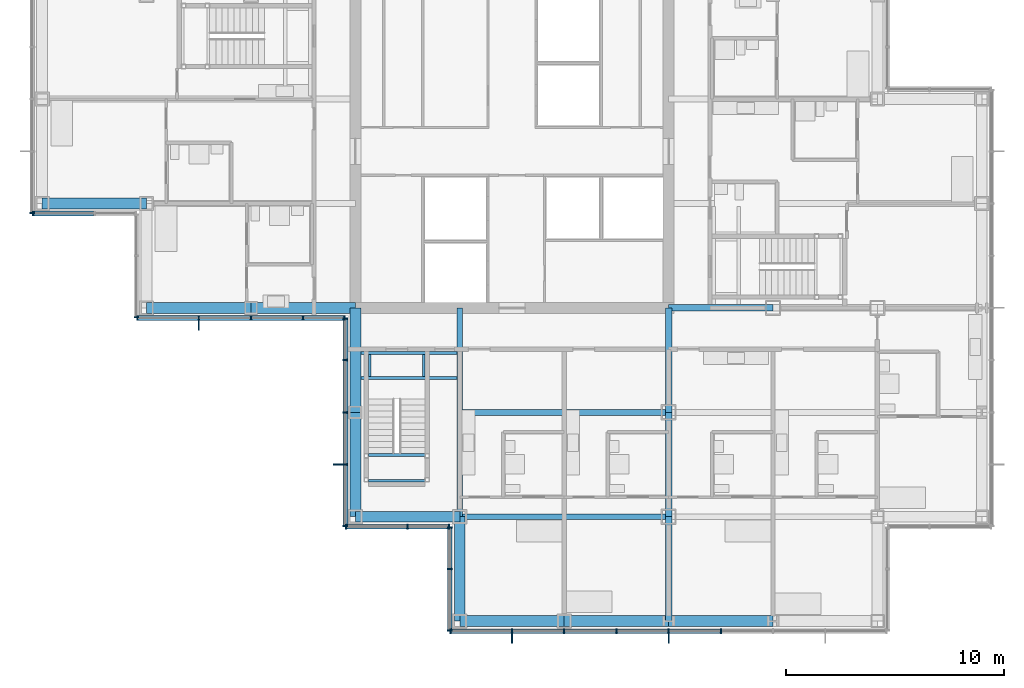
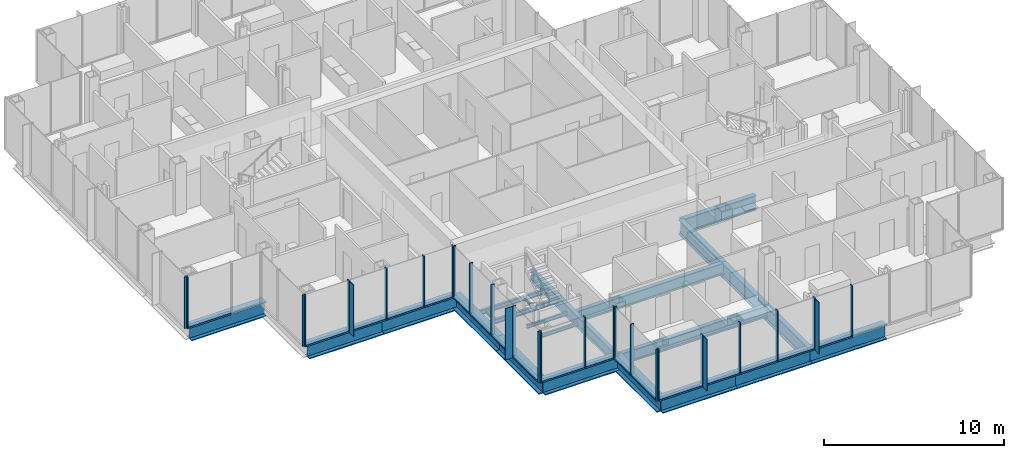
# One storey, part 6 of 20: 47 members, 23 beams, 8 elements without a shape of their own.
"""IFC4 building model written with IfcOpenShell, lengths in metres."""

from ifc_helpers import new_model, si_unit, direction, frame, origin, origin_2d, place, context, subcontext, project, spatial, rectangle, i_section, extrude, material, material_profile, profile_set, type_object, element, aggregate, save


model = new_model("IFC4")

# Units and contexts
model_context = context("Model", 3, precision=1e-05, world=origin(), true_north=direction((0.0, 1.0)))
body_context = subcontext(model_context, "Body", "Model", "MODEL_VIEW")
ifc_project = project(units=[si_unit("LENGTHUNIT", "METRE"), si_unit("AREAUNIT", "SQUARE_METRE"), si_unit("VOLUMEUNIT", "CUBIC_METRE"), si_unit("PLANEANGLEUNIT", "RADIAN"), si_unit("MASSUNIT", "GRAM", prefix="KILO")], contexts=[model_context])

# Site, building, storey
site_placement = place(None, origin())
site = spatial("IfcSite", under=ifc_project, at=site_placement, CompositionType="ELEMENT")
building_placement = place(site_placement, origin())
building = spatial("IfcBuilding", under=site, at=building_placement, Name="Kvirike Care Tower", CompositionType="ELEMENT")
storey_placement = place(building_placement, frame((0.0, 0.0, 91.0)))
storey = spatial("IfcBuildingStorey", under=building, at=storey_placement, Name="L24", CompositionType="ELEMENT", Elevation=91.0)

# Curtain wall, member
ifc_material_1 = material(Name="Anodised aluminium stick system", Category="aluminium")
curtain_wall_type = type_object("IfcCurtainWallType", Name="CW-B STICK CURTAIN WALL", PredefinedType="NOTDEFINED", material=ifc_material_1)
curtain_wall_1_placement = place(storey_placement, origin())
curtain_wall_1 = element("IfcCurtainWall", 1, at=curtain_wall_1_placement, inside=storey, type_object=curtain_wall_type, Name="Curtain wall L24 face 14", PredefinedType="NOTDEFINED")
ifc_material_2 = material(Name="Bronze anodised aluminium fin", Category="aluminium")
ifc_material_profile_1 = material_profile(ifc_material_2, rectangle(XDim=0.050048828125, YDim=0.449951171875, at=origin_2d()), Name="BRONZE FIN 450")
ifc_profile_set_1 = profile_set([ifc_material_profile_1], Name="Bronze anodised aluminium fin")
member_type_1 = type_object("IfcMemberType", Name="BRONZE FIN 450", PredefinedType="USERDEFINED", material=ifc_profile_set_1)
member_1_placement = place(storey_placement, frame((7.199951171875, 28.0048828125, 0.0), z_axis=(0.0, 0.0, 1.0), x_axis=(1.0, 0.0, 0.0)))
member_1 = element("IfcMember", 2, at=member_1_placement, type_object=member_type_1, Name="Bronze fin L24 face 14.2", ObjectType="FIN", PredefinedType="USERDEFINED", context=body_context, shape_type="SweptSolid", body=[
    extrude(rectangle(XDim=0.050048828125, YDim=0.449951171875, at=origin_2d()), origin(), (0.0, 0.0, 1.0), 3.5),
])

curtain_wall_2_placement = place(storey_placement, origin())
curtain_wall_2 = element("IfcCurtainWall", 3, at=curtain_wall_2_placement, inside=storey, type_object=curtain_wall_type, Name="Curtain wall L24 face 15", PredefinedType="NOTDEFINED")
member_2_placement = place(storey_placement, frame((13.60498046875, 21.60009765625, 0.0), z_axis=(0.0, 0.0, 1.0), x_axis=(0.0, -1.0, 0.0)))
member_2 = element("IfcMember", 4, at=member_2_placement, type_object=member_type_1, Name="Bronze fin L24 face 15.4", ObjectType="FIN", PredefinedType="USERDEFINED", context=body_context, shape_type="SweptSolid", body=[
    extrude(rectangle(XDim=0.050048828125, YDim=0.449951171875, at=origin_2d()), origin(), (0.0, 0.0, 1.0), 3.5),
])

# Curtain wall, members
curtain_wall_3_placement = place(storey_placement, origin())
curtain_wall_3 = element("IfcCurtainWall", 5, at=curtain_wall_3_placement, inside=storey, type_object=curtain_wall_type, Name="Curtain wall L24 face 18", PredefinedType="NOTDEFINED")
member_3_placement = place(storey_placement, frame((21.60009765625, 13.60498046875, 0.0), z_axis=(0.0, 0.0, 1.0), x_axis=(1.0, 0.0, 0.0)))
member_3 = element("IfcMember", 6, at=member_3_placement, type_object=member_type_1, Name="Bronze fin L24 face 18.2", ObjectType="FIN", PredefinedType="USERDEFINED", context=body_context, shape_type="SweptSolid", body=[
    extrude(rectangle(XDim=0.050048828125, YDim=0.449951171875, at=origin_2d()), origin(), (0.0, 0.0, 1.0), 3.5),
])
member_4_placement = place(storey_placement, frame((28.800048828125, 13.60498046875, 0.0), z_axis=(0.0, 0.0, 1.0), x_axis=(1.0, 0.0, 0.0)))
member_4 = element("IfcMember", 7, at=member_4_placement, type_object=member_type_1, Name="Bronze fin L24 face 18.5", ObjectType="FIN", PredefinedType="USERDEFINED", context=body_context, shape_type="SweptSolid", body=[
    extrude(rectangle(XDim=0.050048828125, YDim=0.449951171875, at=origin_2d()), origin(), (0.0, 0.0, 1.0), 3.5),
])

# Curtain wall, member
curtain_wall_4_placement = place(storey_placement, origin())
curtain_wall_4 = element("IfcCurtainWall", 8, at=curtain_wall_4_placement, inside=storey, type_object=curtain_wall_type, Name="Curtain wall L24 face 11", PredefinedType="NOTDEFINED")
ifc_material_3 = material(Name="Bronze anodised aluminium mullion", Category="aluminium")
ifc_material_profile_2 = material_profile(ifc_material_3, rectangle(XDim=0.06494140625, YDim=0.219970703125, at=origin_2d()), Name="CW-B MULLION 65x220")
ifc_profile_set_2 = profile_set([ifc_material_profile_2], Name="Bronze anodised aluminium mullion")
member_type_2 = type_object("IfcMemberType", Name="CW-B MULLION 65x220", PredefinedType="MULLION", material=ifc_profile_set_2)
member_5_placement = place(storey_placement, frame((-0.4599609375, 33.172607421875, 0.0), z_axis=(0.0, 0.0, 1.0), x_axis=(0.0, -1.0, 0.0)))
member_5 = element("IfcMember", 9, at=member_5_placement, type_object=member_type_2, Name="CW-B mullion L24 face 11.9", PredefinedType="MULLION", context=body_context, shape_type="SweptSolid", body=[
    extrude(rectangle(XDim=0.06494140625, YDim=0.219970703125, at=origin_2d()), origin(), (0.0, 0.0, 1.0), 3.5),
])
aggregate(curtain_wall_4, [member_5])

curtain_wall_5_placement = place(storey_placement, origin())
curtain_wall_5 = element("IfcCurtainWall", 10, at=curtain_wall_5_placement, inside=storey, type_object=curtain_wall_type, Name="Curtain wall L24 face 12", PredefinedType="NOTDEFINED")
member_6_placement = place(storey_placement, frame((-0.427490234375, 33.139892578125, 0.0), z_axis=(0.0, 0.0, 1.0), x_axis=(1.0, 0.0, 0.0)))
member_6 = element("IfcMember", 11, at=member_6_placement, type_object=member_type_2, Name="CW-B mullion L24 face 12.1", PredefinedType="MULLION", context=body_context, shape_type="SweptSolid", body=[
    extrude(rectangle(XDim=0.06494140625, YDim=0.219970703125, at=origin_2d()), origin(), (0.0, 0.0, 1.0), 3.5),
])

curtain_wall_6_placement = place(storey_placement, origin())
curtain_wall_6 = element("IfcCurtainWall", 12, at=curtain_wall_6_placement, inside=storey, type_object=curtain_wall_type, Name="Curtain wall L24 face 13", PredefinedType="NOTDEFINED")
member_7_placement = place(storey_placement, frame((4.340087890625, 28.37255859375, 0.0), z_axis=(0.0, 0.0, 1.0), x_axis=(0.0, -1.0, 0.0)))
member_7 = element("IfcMember", 13, at=member_7_placement, type_object=member_type_2, Name="CW-B mullion L24 face 13.3", PredefinedType="MULLION", context=body_context, shape_type="SweptSolid", body=[
    extrude(rectangle(XDim=0.06494140625, YDim=0.219970703125, at=origin_2d()), origin(), (0.0, 0.0, 1.0), 3.5),
])
aggregate(curtain_wall_6, [member_7])

# Member
member_8_placement = place(storey_placement, frame((4.37255859375, 28.340087890625, 0.0), z_axis=(0.0, 0.0, 1.0), x_axis=(1.0, 0.0, 0.0)))
member_8 = element("IfcMember", 14, at=member_8_placement, type_object=member_type_2, Name="CW-B mullion L24 face 14.1", PredefinedType="MULLION", context=body_context, shape_type="SweptSolid", body=[
    extrude(rectangle(XDim=0.06494140625, YDim=0.219970703125, at=origin_2d()), origin(), (0.0, 0.0, 1.0), 3.5),
])

member_9_placement = place(storey_placement, frame((7.199951171875, 28.340087890625, 0.0), z_axis=(0.0, 0.0, 1.0), x_axis=(1.0, 0.0, 0.0)))
member_9 = element("IfcMember", 15, at=member_9_placement, type_object=member_type_2, Name="CW-B mullion L24 face 14.2", PredefinedType="MULLION", context=body_context, shape_type="SweptSolid", body=[
    extrude(rectangle(XDim=0.06494140625, YDim=0.219970703125, at=origin_2d()), origin(), (0.0, 0.0, 1.0), 3.5),
])

member_10_placement = place(storey_placement, frame((9.60009765625, 28.340087890625, 0.0), z_axis=(0.0, 0.0, 1.0), x_axis=(1.0, 0.0, 0.0)))
member_10 = element("IfcMember", 16, at=member_10_placement, type_object=member_type_2, Name="CW-B mullion L24 face 14.3", PredefinedType="MULLION", context=body_context, shape_type="SweptSolid", body=[
    extrude(rectangle(XDim=0.06494140625, YDim=0.219970703125, at=origin_2d()), origin(), (0.0, 0.0, 1.0), 3.5),
])

member_11_placement = place(storey_placement, frame((12.0, 28.340087890625, 0.0), z_axis=(0.0, 0.0, 1.0), x_axis=(1.0, 0.0, 0.0)))
member_11 = element("IfcMember", 17, at=member_11_placement, type_object=member_type_2, Name="CW-B mullion L24 face 14.4", PredefinedType="MULLION", context=body_context, shape_type="SweptSolid", body=[
    extrude(rectangle(XDim=0.06494140625, YDim=0.219970703125, at=origin_2d()), origin(), (0.0, 0.0, 1.0), 3.5),
])

member_12_placement = place(storey_placement, frame((13.907470703125, 28.340087890625, 0.0), z_axis=(0.0, 0.0, 1.0), x_axis=(1.0, 0.0, 0.0)))
member_12 = element("IfcMember", 18, at=member_12_placement, type_object=member_type_2, Name="CW-B mullion L24 face 14.5", PredefinedType="MULLION", context=body_context, shape_type="SweptSolid", body=[
    extrude(rectangle(XDim=0.06494140625, YDim=0.219970703125, at=origin_2d()), origin(), (0.0, 0.0, 1.0), 3.5),
])

member_13_placement = place(storey_placement, frame((13.93994140625, 28.3076171875, 0.0), z_axis=(0.0, 0.0, 1.0), x_axis=(0.0, -1.0, 0.0)))
member_13 = element("IfcMember", 19, at=member_13_placement, type_object=member_type_2, Name="CW-B mullion L24 face 15.1", PredefinedType="MULLION", context=body_context, shape_type="SweptSolid", body=[
    extrude(rectangle(XDim=0.06494140625, YDim=0.219970703125, at=origin_2d()), origin(), (0.0, 0.0, 1.0), 3.5),
])

member_14_placement = place(storey_placement, frame((13.93994140625, 26.39990234375, 0.0), z_axis=(0.0, 0.0, 1.0), x_axis=(0.0, -1.0, 0.0)))
member_14 = element("IfcMember", 20, at=member_14_placement, type_object=member_type_2, Name="CW-B mullion L24 face 15.2", PredefinedType="MULLION", context=body_context, shape_type="SweptSolid", body=[
    extrude(rectangle(XDim=0.06494140625, YDim=0.219970703125, at=origin_2d()), origin(), (0.0, 0.0, 1.0), 3.5),
])

member_15_placement = place(storey_placement, frame((13.93994140625, 24.0, 0.0), z_axis=(0.0, 0.0, 1.0), x_axis=(0.0, -1.0, 0.0)))
member_15 = element("IfcMember", 21, at=member_15_placement, type_object=member_type_2, Name="CW-B mullion L24 face 15.3", PredefinedType="MULLION", context=body_context, shape_type="SweptSolid", body=[
    extrude(rectangle(XDim=0.06494140625, YDim=0.219970703125, at=origin_2d()), origin(), (0.0, 0.0, 1.0), 3.5),
])

member_16_placement = place(storey_placement, frame((13.93994140625, 21.60009765625, 0.0), z_axis=(0.0, 0.0, 1.0), x_axis=(0.0, -1.0, 0.0)))
member_16 = element("IfcMember", 22, at=member_16_placement, type_object=member_type_2, Name="CW-B mullion L24 face 15.4", PredefinedType="MULLION", context=body_context, shape_type="SweptSolid", body=[
    extrude(rectangle(XDim=0.06494140625, YDim=0.219970703125, at=origin_2d()), origin(), (0.0, 0.0, 1.0), 3.5),
])

member_17_placement = place(storey_placement, frame((13.93994140625, 18.7724609375, 0.0), z_axis=(0.0, 0.0, 1.0), x_axis=(0.0, -1.0, 0.0)))
member_17 = element("IfcMember", 23, at=member_17_placement, type_object=member_type_2, Name="CW-B mullion L24 face 15.5", PredefinedType="MULLION", context=body_context, shape_type="SweptSolid", body=[
    extrude(rectangle(XDim=0.06494140625, YDim=0.219970703125, at=origin_2d()), origin(), (0.0, 0.0, 1.0), 3.5),
])

# Curtain wall, members
curtain_wall_7_placement = place(storey_placement, origin())
curtain_wall_7 = element("IfcCurtainWall", 24, at=curtain_wall_7_placement, inside=storey, type_object=curtain_wall_type, Name="Curtain wall L24 face 16", PredefinedType="NOTDEFINED")
member_18_placement = place(storey_placement, frame((13.972412109375, 18.739990234375, 0.0), z_axis=(0.0, 0.0, 1.0), x_axis=(1.0, 0.0, 0.0)))
member_18 = element("IfcMember", 25, at=member_18_placement, type_object=member_type_2, Name="CW-B mullion L24 face 16.1", PredefinedType="MULLION", context=body_context, shape_type="SweptSolid", body=[
    extrude(rectangle(XDim=0.06494140625, YDim=0.219970703125, at=origin_2d()), origin(), (0.0, 0.0, 1.0), 3.5),
])
member_19_placement = place(storey_placement, frame((16.800048828125, 18.739990234375, 0.0), z_axis=(0.0, 0.0, 1.0), x_axis=(1.0, 0.0, 0.0)))
member_19 = element("IfcMember", 26, at=member_19_placement, type_object=member_type_2, Name="CW-B mullion L24 face 16.2", PredefinedType="MULLION", context=body_context, shape_type="SweptSolid", body=[
    extrude(rectangle(XDim=0.06494140625, YDim=0.219970703125, at=origin_2d()), origin(), (0.0, 0.0, 1.0), 3.5),
])
member_20_placement = place(storey_placement, frame((18.70751953125, 18.739990234375, 0.0), z_axis=(0.0, 0.0, 1.0), x_axis=(1.0, 0.0, 0.0)))
member_20 = element("IfcMember", 27, at=member_20_placement, type_object=member_type_2, Name="CW-B mullion L24 face 16.3", PredefinedType="MULLION", context=body_context, shape_type="SweptSolid", body=[
    extrude(rectangle(XDim=0.06494140625, YDim=0.219970703125, at=origin_2d()), origin(), (0.0, 0.0, 1.0), 3.5),
])

curtain_wall_8_placement = place(storey_placement, origin())
curtain_wall_8 = element("IfcCurtainWall", 28, at=curtain_wall_8_placement, inside=storey, type_object=curtain_wall_type, Name="Curtain wall L24 face 17", PredefinedType="NOTDEFINED")
member_21_placement = place(storey_placement, frame((18.739990234375, 18.70751953125, 0.0), z_axis=(0.0, 0.0, 1.0), x_axis=(0.0, -1.0, 0.0)))
member_21 = element("IfcMember", 29, at=member_21_placement, type_object=member_type_2, Name="CW-B mullion L24 face 17.1", PredefinedType="MULLION", context=body_context, shape_type="SweptSolid", body=[
    extrude(rectangle(XDim=0.06494140625, YDim=0.219970703125, at=origin_2d()), origin(), (0.0, 0.0, 1.0), 3.5),
])
member_22_placement = place(storey_placement, frame((18.739990234375, 16.800048828125, 0.0), z_axis=(0.0, 0.0, 1.0), x_axis=(0.0, -1.0, 0.0)))
member_22 = element("IfcMember", 30, at=member_22_placement, type_object=member_type_2, Name="CW-B mullion L24 face 17.2", PredefinedType="MULLION", context=body_context, shape_type="SweptSolid", body=[
    extrude(rectangle(XDim=0.06494140625, YDim=0.219970703125, at=origin_2d()), origin(), (0.0, 0.0, 1.0), 3.5),
])
member_23_placement = place(storey_placement, frame((18.739990234375, 13.972412109375, 0.0), z_axis=(0.0, 0.0, 1.0), x_axis=(0.0, -1.0, 0.0)))
member_23 = element("IfcMember", 31, at=member_23_placement, type_object=member_type_2, Name="CW-B mullion L24 face 17.3", PredefinedType="MULLION", context=body_context, shape_type="SweptSolid", body=[
    extrude(rectangle(XDim=0.06494140625, YDim=0.219970703125, at=origin_2d()), origin(), (0.0, 0.0, 1.0), 3.5),
])

# Member
member_24_placement = place(storey_placement, frame((18.7724609375, 13.93994140625, 0.0), z_axis=(0.0, 0.0, 1.0), x_axis=(1.0, 0.0, 0.0)))
member_24 = element("IfcMember", 32, at=member_24_placement, type_object=member_type_2, Name="CW-B mullion L24 face 18.1", PredefinedType="MULLION", context=body_context, shape_type="SweptSolid", body=[
    extrude(rectangle(XDim=0.06494140625, YDim=0.219970703125, at=origin_2d()), origin(), (0.0, 0.0, 1.0), 3.5),
])

member_25_placement = place(storey_placement, frame((21.60009765625, 13.93994140625, 0.0), z_axis=(0.0, 0.0, 1.0), x_axis=(1.0, 0.0, 0.0)))
member_25 = element("IfcMember", 33, at=member_25_placement, type_object=member_type_2, Name="CW-B mullion L24 face 18.2", PredefinedType="MULLION", context=body_context, shape_type="SweptSolid", body=[
    extrude(rectangle(XDim=0.06494140625, YDim=0.219970703125, at=origin_2d()), origin(), (0.0, 0.0, 1.0), 3.5),
])

member_26_placement = place(storey_placement, frame((24.0, 13.93994140625, 0.0), z_axis=(0.0, 0.0, 1.0), x_axis=(1.0, 0.0, 0.0)))
member_26 = element("IfcMember", 34, at=member_26_placement, type_object=member_type_2, Name="CW-B mullion L24 face 18.3", PredefinedType="MULLION", context=body_context, shape_type="SweptSolid", body=[
    extrude(rectangle(XDim=0.06494140625, YDim=0.219970703125, at=origin_2d()), origin(), (0.0, 0.0, 1.0), 3.5),
])

member_27_placement = place(storey_placement, frame((26.39990234375, 13.93994140625, 0.0), z_axis=(0.0, 0.0, 1.0), x_axis=(1.0, 0.0, 0.0)))
member_27 = element("IfcMember", 35, at=member_27_placement, type_object=member_type_2, Name="CW-B mullion L24 face 18.4", PredefinedType="MULLION", context=body_context, shape_type="SweptSolid", body=[
    extrude(rectangle(XDim=0.06494140625, YDim=0.219970703125, at=origin_2d()), origin(), (0.0, 0.0, 1.0), 3.5),
])

member_28_placement = place(storey_placement, frame((28.800048828125, 13.93994140625, 0.0), z_axis=(0.0, 0.0, 1.0), x_axis=(1.0, 0.0, 0.0)))
member_28 = element("IfcMember", 36, at=member_28_placement, type_object=member_type_2, Name="CW-B mullion L24 face 18.5", PredefinedType="MULLION", context=body_context, shape_type="SweptSolid", body=[
    extrude(rectangle(XDim=0.06494140625, YDim=0.219970703125, at=origin_2d()), origin(), (0.0, 0.0, 1.0), 3.5),
])

member_29_placement = place(storey_placement, frame((31.199951171875, 13.93994140625, 0.0), z_axis=(0.0, 0.0, 1.0), x_axis=(1.0, 0.0, 0.0)))
member_29 = element("IfcMember", 37, at=member_29_placement, type_object=member_type_2, Name="CW-B mullion L24 face 18.6", PredefinedType="MULLION", context=body_context, shape_type="SweptSolid", body=[
    extrude(rectangle(XDim=0.06494140625, YDim=0.219970703125, at=origin_2d()), origin(), (0.0, 0.0, 1.0), 3.5),
])

ifc_material_4 = material(Name="Bronze anodised aluminium transom", Category="aluminium")
ifc_material_profile_3 = material_profile(ifc_material_4, rectangle(XDim=0.219970703125, YDim=0.10009765625, at=origin_2d()), Name="CW-B TRANSOM 220x100")
ifc_profile_set_3 = profile_set([ifc_material_profile_3], Name="Bronze anodised aluminium transom")
member_type_3 = type_object("IfcMemberType", Name="CW-B TRANSOM 220x100", PredefinedType="USERDEFINED", material=ifc_profile_set_3)
member_30_placement = place(storey_placement, frame((-0.39501953125, 33.139892578125, 0.050048828125), z_axis=(1.0, 0.0, 0.0), x_axis=(0.0, 1.0, 0.0)))
member_30 = element("IfcMember", 38, at=member_30_placement, type_object=member_type_3, Name="CW-B sill transom L24 face 12.1", ObjectType="TRANSOM", PredefinedType="USERDEFINED", context=body_context, shape_type="SweptSolid", body=[
    extrude(rectangle(XDim=0.219970703125, YDim=0.10009765625, at=origin_2d()), origin(), (0.0, 0.0, 1.0), 2.762451171875),
])

aggregate(curtain_wall_5, [member_6, member_30])

member_31_placement = place(storey_placement, frame((4.405029296875, 28.340087890625, 0.050048828125), z_axis=(1.0, 0.0, 0.0), x_axis=(0.0, 1.0, 0.0)))
member_31 = element("IfcMember", 39, at=member_31_placement, type_object=member_type_3, Name="CW-B sill transom L24 face 14.1", ObjectType="TRANSOM", PredefinedType="USERDEFINED", context=body_context, shape_type="SweptSolid", body=[
    extrude(rectangle(XDim=0.219970703125, YDim=0.10009765625, at=origin_2d()), origin(), (0.0, 0.0, 1.0), 2.762451171875),
])

member_32_placement = place(storey_placement, frame((7.232421875, 28.340087890625, 0.050048828125), z_axis=(1.0, 0.0, 0.0), x_axis=(0.0, 1.0, 0.0)))
member_32 = element("IfcMember", 40, at=member_32_placement, type_object=member_type_3, Name="CW-B sill transom L24 face 14.2", ObjectType="TRANSOM", PredefinedType="USERDEFINED", context=body_context, shape_type="SweptSolid", body=[
    extrude(rectangle(XDim=0.219970703125, YDim=0.10009765625, at=origin_2d()), origin(), (0.0, 0.0, 1.0), 2.3349609375),
])

member_33_placement = place(storey_placement, frame((9.632568359375, 28.340087890625, 0.050048828125), z_axis=(1.0, 0.0, 0.0), x_axis=(0.0, 1.0, 0.0)))
member_33 = element("IfcMember", 41, at=member_33_placement, type_object=member_type_3, Name="CW-B sill transom L24 face 14.3", ObjectType="TRANSOM", PredefinedType="USERDEFINED", context=body_context, shape_type="SweptSolid", body=[
    extrude(rectangle(XDim=0.219970703125, YDim=0.10009765625, at=origin_2d()), origin(), (0.0, 0.0, 1.0), 2.3349609375),
])

member_34_placement = place(storey_placement, frame((12.032470703125, 28.340087890625, 0.050048828125), z_axis=(1.0, 0.0, 0.0), x_axis=(0.0, 1.0, 0.0)))
member_34 = element("IfcMember", 42, at=member_34_placement, type_object=member_type_3, Name="CW-B sill transom L24 face 14.4", ObjectType="TRANSOM", PredefinedType="USERDEFINED", context=body_context, shape_type="SweptSolid", body=[
    extrude(rectangle(XDim=0.219970703125, YDim=0.10009765625, at=origin_2d()), origin(), (0.0, 0.0, 1.0), 1.842529296875),
])

aggregate(curtain_wall_1, [member_8, member_9, member_1, member_10, member_11, member_12, member_31, member_32, member_33, member_34])

member_35_placement = place(storey_placement, frame((13.93994140625, 28.27490234375, 0.050048828125), z_axis=(0.0, -1.0, 0.0), x_axis=(1.0, 0.0, 0.0)))
member_35 = element("IfcMember", 43, at=member_35_placement, type_object=member_type_3, Name="CW-B sill transom L24 face 15.1", ObjectType="TRANSOM", PredefinedType="USERDEFINED", context=body_context, shape_type="SweptSolid", body=[
    extrude(rectangle(XDim=0.219970703125, YDim=0.10009765625, at=origin_2d()), origin(), (0.0, 0.0, 1.0), 1.84228515625),
])

member_36_placement = place(storey_placement, frame((13.93994140625, 26.367431640625, 0.050048828125), z_axis=(0.0, -1.0, 0.0), x_axis=(1.0, 0.0, 0.0)))
member_36 = element("IfcMember", 44, at=member_36_placement, type_object=member_type_3, Name="CW-B sill transom L24 face 15.2", ObjectType="TRANSOM", PredefinedType="USERDEFINED", context=body_context, shape_type="SweptSolid", body=[
    extrude(rectangle(XDim=0.219970703125, YDim=0.10009765625, at=origin_2d()), origin(), (0.0, 0.0, 1.0), 2.3349609375),
])

member_37_placement = place(storey_placement, frame((13.93994140625, 23.967529296875, 0.050048828125), z_axis=(0.0, -1.0, 0.0), x_axis=(1.0, 0.0, 0.0)))
member_37 = element("IfcMember", 45, at=member_37_placement, type_object=member_type_3, Name="CW-B sill transom L24 face 15.3", ObjectType="TRANSOM", PredefinedType="USERDEFINED", context=body_context, shape_type="SweptSolid", body=[
    extrude(rectangle(XDim=0.219970703125, YDim=0.10009765625, at=origin_2d()), origin(), (0.0, 0.0, 1.0), 2.3349609375),
])

member_38_placement = place(storey_placement, frame((13.93994140625, 21.5673828125, 0.050048828125), z_axis=(0.0, -1.0, 0.0), x_axis=(1.0, 0.0, 0.0)))
member_38 = element("IfcMember", 46, at=member_38_placement, type_object=member_type_3, Name="CW-B sill transom L24 face 15.4", ObjectType="TRANSOM", PredefinedType="USERDEFINED", context=body_context, shape_type="SweptSolid", body=[
    extrude(rectangle(XDim=0.219970703125, YDim=0.10009765625, at=origin_2d()), origin(), (0.0, 0.0, 1.0), 2.762451171875),
])

aggregate(curtain_wall_2, [member_13, member_14, member_15, member_16, member_2, member_17, member_35, member_36, member_37, member_38])

member_39_placement = place(storey_placement, frame((14.0048828125, 18.739990234375, 0.050048828125), z_axis=(1.0, 0.0, 0.0), x_axis=(0.0, 1.0, 0.0)))
member_39 = element("IfcMember", 47, at=member_39_placement, type_object=member_type_3, Name="CW-B sill transom L24 face 16.1", ObjectType="TRANSOM", PredefinedType="USERDEFINED", context=body_context, shape_type="SweptSolid", body=[
    extrude(rectangle(XDim=0.219970703125, YDim=0.10009765625, at=origin_2d()), origin(), (0.0, 0.0, 1.0), 2.7626953125),
])

member_40_placement = place(storey_placement, frame((16.83251953125, 18.739990234375, 0.050048828125), z_axis=(1.0, 0.0, 0.0), x_axis=(0.0, 1.0, 0.0)))
member_40 = element("IfcMember", 48, at=member_40_placement, type_object=member_type_3, Name="CW-B sill transom L24 face 16.2", ObjectType="TRANSOM", PredefinedType="USERDEFINED", context=body_context, shape_type="SweptSolid", body=[
    extrude(rectangle(XDim=0.219970703125, YDim=0.10009765625, at=origin_2d()), origin(), (0.0, 0.0, 1.0), 1.842529296875),
])

aggregate(curtain_wall_7, [member_18, member_19, member_20, member_39, member_40])

member_41_placement = place(storey_placement, frame((18.739990234375, 18.675048828125, 0.050048828125), z_axis=(0.0, -1.0, 0.0), x_axis=(1.0, 0.0, 0.0)))
member_41 = element("IfcMember", 49, at=member_41_placement, type_object=member_type_3, Name="CW-B sill transom L24 face 17.1", ObjectType="TRANSOM", PredefinedType="USERDEFINED", context=body_context, shape_type="SweptSolid", body=[
    extrude(rectangle(XDim=0.219970703125, YDim=0.10009765625, at=origin_2d()), origin(), (0.0, 0.0, 1.0), 1.842529296875),
])

member_42_placement = place(storey_placement, frame((18.739990234375, 16.767578125, 0.050048828125), z_axis=(0.0, -1.0, 0.0), x_axis=(1.0, 0.0, 0.0)))
member_42 = element("IfcMember", 50, at=member_42_placement, type_object=member_type_3, Name="CW-B sill transom L24 face 17.2", ObjectType="TRANSOM", PredefinedType="USERDEFINED", context=body_context, shape_type="SweptSolid", body=[
    extrude(rectangle(XDim=0.219970703125, YDim=0.10009765625, at=origin_2d()), origin(), (0.0, 0.0, 1.0), 2.7626953125),
])

aggregate(curtain_wall_8, [member_21, member_22, member_23, member_41, member_42])

member_43_placement = place(storey_placement, frame((18.804931640625, 13.93994140625, 0.050048828125), z_axis=(1.0, 0.0, 0.0), x_axis=(0.0, 1.0, 0.0)))
member_43 = element("IfcMember", 51, at=member_43_placement, type_object=member_type_3, Name="CW-B sill transom L24 face 18.1", ObjectType="TRANSOM", PredefinedType="USERDEFINED", context=body_context, shape_type="SweptSolid", body=[
    extrude(rectangle(XDim=0.219970703125, YDim=0.10009765625, at=origin_2d()), origin(), (0.0, 0.0, 1.0), 2.762451171875),
])

member_44_placement = place(storey_placement, frame((21.632568359375, 13.93994140625, 0.050048828125), z_axis=(1.0, 0.0, 0.0), x_axis=(0.0, 1.0, 0.0)))
member_44 = element("IfcMember", 52, at=member_44_placement, type_object=member_type_3, Name="CW-B sill transom L24 face 18.2", ObjectType="TRANSOM", PredefinedType="USERDEFINED", context=body_context, shape_type="SweptSolid", body=[
    extrude(rectangle(XDim=0.219970703125, YDim=0.10009765625, at=origin_2d()), origin(), (0.0, 0.0, 1.0), 2.3349609375),
])

member_45_placement = place(storey_placement, frame((24.032470703125, 13.93994140625, 0.050048828125), z_axis=(1.0, 0.0, 0.0), x_axis=(0.0, 1.0, 0.0)))
member_45 = element("IfcMember", 53, at=member_45_placement, type_object=member_type_3, Name="CW-B sill transom L24 face 18.3", ObjectType="TRANSOM", PredefinedType="USERDEFINED", context=body_context, shape_type="SweptSolid", body=[
    extrude(rectangle(XDim=0.219970703125, YDim=0.10009765625, at=origin_2d()), origin(), (0.0, 0.0, 1.0), 2.3349609375),
])

member_46_placement = place(storey_placement, frame((26.4326171875, 13.93994140625, 0.050048828125), z_axis=(1.0, 0.0, 0.0), x_axis=(0.0, 1.0, 0.0)))
member_46 = element("IfcMember", 54, at=member_46_placement, type_object=member_type_3, Name="CW-B sill transom L24 face 18.4", ObjectType="TRANSOM", PredefinedType="USERDEFINED", context=body_context, shape_type="SweptSolid", body=[
    extrude(rectangle(XDim=0.219970703125, YDim=0.10009765625, at=origin_2d()), origin(), (0.0, 0.0, 1.0), 2.3349609375),
])

member_47_placement = place(storey_placement, frame((28.83251953125, 13.93994140625, 0.050048828125), z_axis=(1.0, 0.0, 0.0), x_axis=(0.0, 1.0, 0.0)))
member_47 = element("IfcMember", 55, at=member_47_placement, type_object=member_type_3, Name="CW-B sill transom L24 face 18.5", ObjectType="TRANSOM", PredefinedType="USERDEFINED", context=body_context, shape_type="SweptSolid", body=[
    extrude(rectangle(XDim=0.219970703125, YDim=0.10009765625, at=origin_2d()), origin(), (0.0, 0.0, 1.0), 2.3349609375),
])

aggregate(curtain_wall_3, [member_24, member_25, member_3, member_26, member_27, member_28, member_4, member_29, member_43, member_44, member_45, member_46, member_47])

# Beams
ifc_material_5 = material(Name="Steel S355", Category="steel")
ifc_material_profile_4 = material_profile(ifc_material_5, i_section(OverallWidth=0.26806640625, OverallDepth=0.77001953125, WebThickness=0.015625, FlangeThickness=0.025390625, FilletRadius=0.01708984375, at=origin_2d()), Name="IPE 750x196")
ifc_profile_set_4 = profile_set([ifc_material_profile_4], Name="Steel S355")
beam_type_1 = type_object("IfcBeamType", Name="FLOOR BEAM IPE 750x196", PredefinedType="BEAM", material=ifc_profile_set_4)
for number, where, z_axis, x_axis, name in (
    (56, (19.199951171875, 19.199951171875, -0.554931640625), (1.0, 0.0, 0.0), (0.0, 1.0, 0.0), "Floor Beam E7-E9 L24"),
    (57, (19.199951171875, 24.0, -0.554931640625), (1.0, 0.0, 0.0), (0.0, 1.0, 0.0), "Floor Beam F7-F9 L24"),
    (58, (19.199951171875, 19.199951171875, -0.554931640625), (0.0, 1.0, 0.0), (-1.0, 0.0, 0.0), "Floor Beam E7-G7 L24"),
):
    element("IfcBeam", number, at=place(storey_placement, frame(where, z_axis=z_axis, x_axis=x_axis)), inside=storey, type_object=beam_type_1, Name=name, PredefinedType="BEAM", context=body_context, shape_type="SweptSolid", body=[
        extrude(i_section(OverallWidth=0.26806640625, OverallDepth=0.77001953125, WebThickness=0.015625, FlangeThickness=0.025390625, FilletRadius=0.01708984375, at=origin_2d()), origin(), (0.0, 0.0, 1.0), 9.60009765625),
    ])
ifc_material_6 = material(Name="Steel S355", Category="steel")
ifc_material_profile_5 = material_profile(ifc_material_6, i_section(OverallWidth=0.300048828125, OverallDepth=1.0, WebThickness=0.01904296875, FlangeThickness=0.035888671875, FilletRadius=0.030029296875, at=origin_2d()), Name="HE 1000 B")
ifc_profile_set_5 = profile_set([ifc_material_profile_5], Name="Steel S355")
beam_type_2 = type_object("IfcBeamType", Name="FRAME BEAM HE 1000 B", PredefinedType="BEAM", material=ifc_profile_set_5)
for number, where, z_axis, x_axis, name in (
    (59, (28.800048828125, 28.800048828125, -0.669921875), (1.0, 0.0, 0.0), (0.0, 1.0, 0.0), "Frame Beam G9-G10 L24"),
    (60, (28.800048828125, 14.39990234375, -0.669921875), (0.0, 1.0, 0.0), (-1.0, 0.0, 0.0), "Frame Beam D9-E9 L24"),
    (61, (28.800048828125, 19.199951171875, -0.669921875), (0.0, 1.0, 0.0), (-1.0, 0.0, 0.0), "Frame Beam E9-F9 L24"),
    (62, (28.800048828125, 24.0, -0.669921875), (0.0, 1.0, 0.0), (-1.0, 0.0, 0.0), "Frame Beam F9-G9 L24"),
):
    element("IfcBeam", number, at=place(storey_placement, frame(where, z_axis=z_axis, x_axis=x_axis)), inside=storey, type_object=beam_type_2, Name=name, PredefinedType="BEAM", context=body_context, shape_type="SweptSolid", body=[
        extrude(i_section(OverallWidth=0.300048828125, OverallDepth=1.0, WebThickness=0.01904296875, FlangeThickness=0.035888671875, FilletRadius=0.030029296875, at=origin_2d()), origin(), (0.0, 0.0, 1.0), 4.800048828125),
    ])
ifc_material_7 = material(Name="Steel S355", Category="steel")
ifc_material_profile_6 = material_profile(ifc_material_7, i_section(OverallWidth=0.5, OverallDepth=1.0, WebThickness=0.030029296875, FlangeThickness=0.06005859375, at=origin_2d()), Name="PG 1000x500x30x60")
ifc_profile_set_6 = profile_set([ifc_material_profile_6], Name="Steel S355")
beam_type_3 = type_object("IfcBeamType", Name="SPANDREL PG 1000x500x30x60", PredefinedType="SPANDREL", material=ifc_profile_set_6)
for number, where, z_axis, x_axis, name in (
    (63, (19.199951171875, 14.39990234375, -0.669921875), (1.0, 0.0, 0.0), (0.0, 1.0, 0.0), "Spandrel D7-D8 L24"),
    (64, (24.0, 14.39990234375, -0.669921875), (1.0, 0.0, 0.0), (0.0, 1.0, 0.0), "Spandrel D8-D9 L24"),
    (65, (28.800048828125, 14.39990234375, -0.669921875), (1.0, 0.0, 0.0), (0.0, 1.0, 0.0), "Spandrel D9-D10 L24"),
    (66, (14.39990234375, 19.199951171875, -0.669921875), (1.0, 0.0, 0.0), (0.0, 1.0, 0.0), "Spandrel E6-E7 L24"),
    (67, (4.800048828125, 28.800048828125, -0.669921875), (1.0, 0.0, 0.0), (0.0, 1.0, 0.0), "Spandrel G4-G5 L24"),
):
    element("IfcBeam", number, at=place(storey_placement, frame(where, z_axis=z_axis, x_axis=x_axis)), inside=storey, type_object=beam_type_3, Name=name, PredefinedType="SPANDREL", context=body_context, shape_type="SweptSolid", body=[
        extrude(i_section(OverallWidth=0.5, OverallDepth=1.0, WebThickness=0.030029296875, FlangeThickness=0.06005859375, at=origin_2d()), origin(), (0.0, 0.0, 1.0), 4.800048828125),
    ])
beam_placement = place(storey_placement, frame((9.60009765625, 28.800048828125, -0.669921875), z_axis=(1.0, 0.0, 0.0), x_axis=(0.0, 1.0, 0.0)))
element("IfcBeam", 68, at=beam_placement, inside=storey, type_object=beam_type_3, Name="Spandrel G5-G6 L24", PredefinedType="SPANDREL", context=body_context, shape_type="SweptSolid", body=[
    extrude(i_section(OverallWidth=0.5, OverallDepth=1.0, WebThickness=0.030029296875, FlangeThickness=0.06005859375, at=origin_2d()), origin(), (0.0, 0.0, 1.0), 4.7998046875),
])
for number, where, z_axis, x_axis, name in (
    (69, (0.0, 33.60009765625, -0.669921875), (1.0, 0.0, 0.0), (0.0, 1.0, 0.0), "Spandrel H3-H4 L24"),
    (70, (14.39990234375, 19.199951171875, -0.669921875), (0.0, 1.0, 0.0), (-1.0, 0.0, 0.0), "Spandrel E6-F6 L24"),
    (71, (14.39990234375, 24.0, -0.669921875), (0.0, 1.0, 0.0), (-1.0, 0.0, 0.0), "Spandrel F6-G6 L24"),
    (72, (19.199951171875, 14.39990234375, -0.669921875), (0.0, 1.0, 0.0), (-1.0, 0.0, 0.0), "Spandrel D7-E7 L24"),
):
    element("IfcBeam", number, at=place(storey_placement, frame(where, z_axis=z_axis, x_axis=x_axis)), inside=storey, type_object=beam_type_3, Name=name, PredefinedType="SPANDREL", context=body_context, shape_type="SweptSolid", body=[
        extrude(i_section(OverallWidth=0.5, OverallDepth=1.0, WebThickness=0.030029296875, FlangeThickness=0.06005859375, at=origin_2d()), origin(), (0.0, 0.0, 1.0), 4.800048828125),
    ])
ifc_material_8 = material(Name="Steel S355", Category="steel")
ifc_material_profile_7 = material_profile(ifc_material_8, i_section(OverallWidth=0.1201171875, OverallDepth=0.239990234375, WebThickness=0.006103515625, FlangeThickness=0.009765625, FilletRadius=0.014892578125, at=origin_2d()), Name="IPE 240")
ifc_profile_set_7 = profile_set([ifc_material_profile_7], Name="Steel S355")
beam_type_4 = type_object("IfcBeamType", Name="STAIR LANDING BEAM IPE 240", PredefinedType="BEAM", material=ifc_profile_set_7)
for number, where, z_axis, x_axis, name in (
    (73, (15.0, 20.860107421875, 1.429931640625), (1.0, 0.0, 0.0), (0.0, 1.0, 0.0), "Stair 5 landing beam back L24"),
    (74, (15.0, 22.0400390625, 1.429931640625), (1.0, 0.0, 0.0), (0.0, 1.0, 0.0), "Stair 5 landing beam front L24"),
):
    element("IfcBeam", number, at=place(storey_placement, frame(where, z_axis=z_axis, x_axis=x_axis)), inside=storey, type_object=beam_type_4, Name=name, PredefinedType="BEAM", context=body_context, shape_type="SweptSolid", body=[
        extrude(i_section(OverallWidth=0.1201171875, OverallDepth=0.239990234375, WebThickness=0.006103515625, FlangeThickness=0.009765625, FilletRadius=0.014892578125, at=origin_2d()), origin(), (0.0, 0.0, 1.0), 2.60009765625),
    ])
for number, where, z_axis, x_axis, name in (
    (75, (15.06005859375, 25.64990234375, -0.320068359375), (0.0, 1.0, 0.0), (-1.0, 0.0, 0.0), "Stair 5 landing edge beam 1 L24"),
    (76, (17.5400390625, 25.64990234375, -0.320068359375), (0.0, 1.0, 0.0), (-1.0, 0.0, 0.0), "Stair 5 landing edge beam 2 L24"),
):
    element("IfcBeam", number, at=place(storey_placement, frame(where, z_axis=z_axis, x_axis=x_axis)), inside=storey, type_object=beam_type_4, Name=name, PredefinedType="BEAM", context=body_context, shape_type="SweptSolid", body=[
        extrude(i_section(OverallWidth=0.1201171875, OverallDepth=0.239990234375, WebThickness=0.006103515625, FlangeThickness=0.009765625, FilletRadius=0.014892578125, at=origin_2d()), origin(), (0.0, 0.0, 1.0), 1.0),
    ])
ifc_material_9 = material(Name="Steel S355", Category="steel")
ifc_material_profile_8 = material_profile(ifc_material_9, i_section(OverallWidth=0.14990234375, OverallDepth=0.300048828125, WebThickness=0.007080078125, FlangeThickness=0.0107421875, FilletRadius=0.014892578125, at=origin_2d()), Name="IPE 300")
ifc_profile_set_8 = profile_set([ifc_material_profile_8], Name="Steel S355")
beam_type_5 = type_object("IfcBeamType", Name="STAIR TRIMMER IPE 300", PredefinedType="BEAM", material=ifc_profile_set_8)
for number, where, z_axis, x_axis, name in (
    (77, (14.64990234375, 25.574951171875, -0.35009765625), (1.0, 0.0, 0.0), (0.0, 1.0, 0.0), "Stair 5 trimmer 1 L24"),
    (78, (14.64990234375, 26.72509765625, -0.35009765625), (1.0, 0.0, 0.0), (0.0, 1.0, 0.0), "Stair 5 trimmer 2 L24"),
):
    element("IfcBeam", number, at=place(storey_placement, frame(where, z_axis=z_axis, x_axis=x_axis)), inside=storey, type_object=beam_type_5, Name=name, PredefinedType="BEAM", context=body_context, shape_type="SweptSolid", body=[
        extrude(i_section(OverallWidth=0.14990234375, OverallDepth=0.300048828125, WebThickness=0.007080078125, FlangeThickness=0.0107421875, FilletRadius=0.014892578125, at=origin_2d()), origin(), (0.0, 0.0, 1.0), 4.416015625),
    ])

save(model, "model.ifc")
